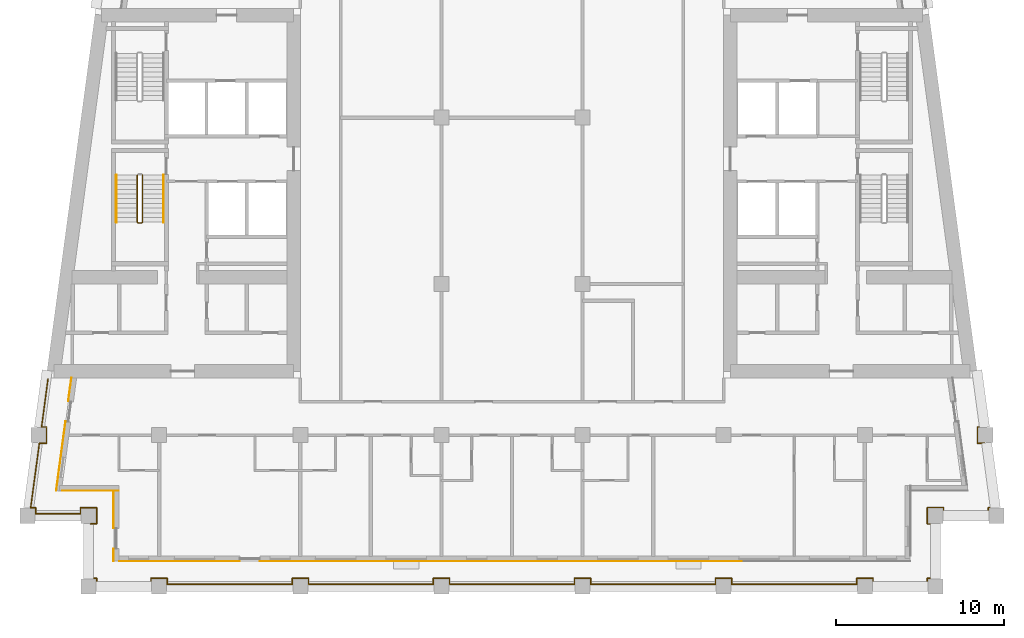
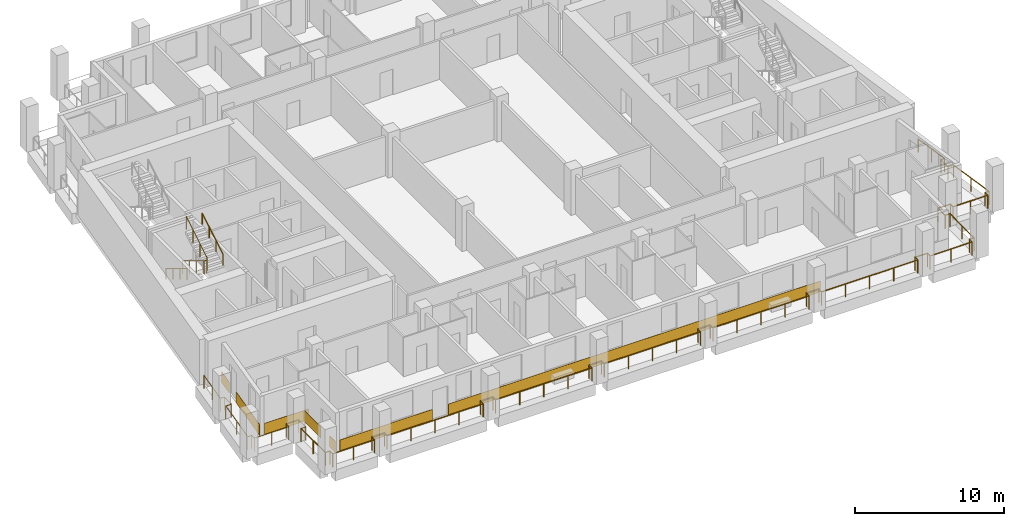
# One storey, part 9 of 13: 7 coverings, 5 railings.
"""IFC4 building model written with IfcOpenShell, lengths in metres."""

from ifc_helpers import new_model, si_unit, direction, frame, origin, origin_2d, place, context, subcontext, project, spatial, rectangle, circle, extrude, material, layer, layer_set, type_object, element, save


model = new_model("IFC4")

# Units and contexts
model_context = context("Model", 3, precision=1e-05, world=origin(), true_north=direction((0.0, 1.0)))
body_context = subcontext(model_context, "Body", "Model", "MODEL_VIEW")
ifc_project = project(units=[si_unit("LENGTHUNIT", "METRE"), si_unit("AREAUNIT", "SQUARE_METRE"), si_unit("VOLUMEUNIT", "CUBIC_METRE"), si_unit("PLANEANGLEUNIT", "RADIAN"), si_unit("MASSUNIT", "GRAM", prefix="KILO")], contexts=[model_context])

# Site, building, storey
site_placement = place(None, origin())
site = spatial("IfcSite", under=ifc_project, at=site_placement, CompositionType="ELEMENT")
building_placement = place(site_placement, origin())
building = spatial("IfcBuilding", under=site, at=building_placement, Name="Candeia Pilgrim Tower and Theatre", CompositionType="ELEMENT")
storey_placement = place(building_placement, frame((0.0, 0.0, 242.89990234375)))
storey = spatial("IfcBuildingStorey", under=building, at=storey_placement, Name="L59", CompositionType="ELEMENT", Elevation=242.89990234375)

# Railings
ifc_material_1 = material(Name="Stainless steel balustrade", Category="steel")
railing_type_1 = type_object("IfcRailingType", Name="G1 loggia guard 1100", PredefinedType="GUARDRAIL", material=ifc_material_1)
railing_1_placement = place(storey_placement, frame((88.320068359375, 101.719970703125, 0.0)))
element("IfcRailing", 1, at=railing_1_placement, inside=storey, type_object=railing_type_1, Name="Guard L59.1", PredefinedType="GUARDRAIL", context=body_context, shape_type="SweptSolid", body=[
    extrude(circle(Radius=0.02392578125, at=origin_2d()), frame((0.0, 0.0, 1.076171875), z_axis=(1.0, 0.0, 0.0), x_axis=(0.0, 1.0, 0.0)), (0.0, 0.0, 1.0), 0.35986328125),
    extrude(circle(Radius=0.02392578125, at=origin_2d()), frame((0.35986328125, 0.0, 1.076171875), z_axis=(0.0, 1.0, 0.0), x_axis=(-1.0, 0.0, 0.0)), (0.0, 0.0, 1.0), 0.9599609375),
    extrude(circle(Radius=0.02392578125, at=origin_2d()), frame((0.35986328125, 0.9599609375, 1.076171875), z_axis=(-1.0, 0.0, 0.0), x_axis=(0.0, -1.0, 0.0)), (0.0, 0.0, 1.0), 0.9599609375),
    extrude(circle(Radius=0.02392578125, at=origin_2d()), frame((-0.60009765625, 0.9599609375, 1.076171875), z_axis=(0.0, -1.0, 0.0), x_axis=(1.0, 0.0, 0.0)), (0.0, 0.0, 1.0), 0.35986328125),
    extrude(circle(Radius=0.02392578125, at=origin_2d()), frame((-0.60009765625, 0.60009765625, 1.076171875), z_axis=(-1.0, 0.0, 0.0), x_axis=(0.0, -1.0, 0.0)), (0.0, 0.0, 1.0), 2.674560546875),
    extrude(circle(Radius=0.02392578125, at=origin_2d()), frame((-3.274658203125, 0.60009765625, 1.076171875), z_axis=(0.0, 1.0, 0.0), x_axis=(-1.0, 0.0, 0.0)), (0.0, 0.0, 1.0), 0.35986328125),
    extrude(circle(Radius=0.02392578125, at=origin_2d()), frame((-3.274658203125, 0.9599609375, 1.076171875), z_axis=(-1.0, 0.0, 0.0), x_axis=(0.0, -1.0, 0.0)), (0.0, 0.0, 1.0), 0.29443359375),
    extrude(circle(Radius=0.02392578125, at=origin_2d()), frame((-3.569091796875, 0.9599609375, 1.076171875), z_axis=(0.133451286285, 0.991055373927, 0.0), x_axis=(-0.991055373927, 0.133451286285, 0.0)), (0.0, 0.0, 1.0), 3.874755859375),
    extrude(circle(Radius=0.02392578125, at=origin_2d()), frame((-3.052001953125, 4.800048828125, 1.076171875), z_axis=(1.0, 0.0, 0.0), x_axis=(0.0, 1.0, 0.0)), (0.0, 0.0, 1.0), 0.423583984375),
    extrude(circle(Radius=0.02392578125, at=origin_2d()), frame((-2.62841796875, 4.800048828125, 1.076171875), z_axis=(0.0, 1.0, 0.0), x_axis=(-1.0, 0.0, 0.0)), (0.0, 0.0, 1.0), 0.9599609375),
    extrude(circle(Radius=0.02392578125, at=origin_2d()), frame((-2.62841796875, 5.760009765625, 1.076171875), z_axis=(-1.0, 0.0, 0.0), x_axis=(0.0, -1.0, 0.0)), (0.0, 0.0, 1.0), 0.29443359375),
    extrude(circle(Radius=0.02392578125, at=origin_2d()), frame((-2.9228515625, 5.760009765625, 1.076171875), z_axis=(0.133450228179, 0.991055516406, 0.0), x_axis=(-0.991055516406, 0.133450228179, 0.0)), (0.0, 0.0, 1.0), 2.89599609375),
    extrude(circle(Radius=0.02099609375, at=origin_2d()), origin(), (0.0, 0.0, 1.0), 1.052001953125),
    extrude(circle(Radius=0.02099609375, at=origin_2d()), frame((0.35986328125, 0.0, 0.0)), (0.0, 0.0, 1.0), 1.052001953125),
    extrude(circle(Radius=0.02099609375, at=origin_2d()), frame((0.35986328125, 0.9599609375, 0.0)), (0.0, 0.0, 1.0), 1.052001953125),
    extrude(circle(Radius=0.02099609375, at=origin_2d()), frame((-0.60009765625, 0.9599609375, 0.0)), (0.0, 0.0, 1.0), 1.052001953125),
    extrude(circle(Radius=0.02099609375, at=origin_2d()), frame((-0.60009765625, 0.60009765625, 0.0)), (0.0, 0.0, 1.0), 1.052001953125),
    extrude(circle(Radius=0.02099609375, at=origin_2d()), frame((-1.9375, 0.60009765625, 0.0)), (0.0, 0.0, 1.0), 1.052001953125),
    extrude(circle(Radius=0.02099609375, at=origin_2d()), frame((-3.274658203125, 0.60009765625, 0.0)), (0.0, 0.0, 1.0), 1.052001953125),
    extrude(circle(Radius=0.02099609375, at=origin_2d()), frame((-3.274658203125, 0.9599609375, 0.0)), (0.0, 0.0, 1.0), 1.052001953125),
    extrude(circle(Radius=0.02099609375, at=origin_2d()), frame((-3.569091796875, 0.9599609375, 0.0)), (0.0, 0.0, 1.0), 1.052001953125),
    extrude(circle(Radius=0.02099609375, at=origin_2d()), frame((-3.310546875, 2.8798828125, 0.0)), (0.0, 0.0, 1.0), 1.052001953125),
    extrude(circle(Radius=0.02099609375, at=origin_2d()), frame((-3.052001953125, 4.800048828125, 0.0)), (0.0, 0.0, 1.0), 1.052001953125),
    extrude(circle(Radius=0.02099609375, at=origin_2d()), frame((-2.62841796875, 4.800048828125, 0.0)), (0.0, 0.0, 1.0), 1.052001953125),
    extrude(circle(Radius=0.02099609375, at=origin_2d()), frame((-2.62841796875, 5.760009765625, 0.0)), (0.0, 0.0, 1.0), 1.052001953125),
    extrude(circle(Radius=0.02099609375, at=origin_2d()), frame((-2.9228515625, 5.760009765625, 0.0)), (0.0, 0.0, 1.0), 1.052001953125),
    extrude(circle(Radius=0.02099609375, at=origin_2d()), frame((-2.7294921875, 7.195068359375, 0.0)), (0.0, 0.0, 1.0), 1.052001953125),
    extrude(circle(Radius=0.02099609375, at=origin_2d()), frame((-2.536376953125, 8.630126953125, 0.0)), (0.0, 0.0, 1.0), 1.052001953125),
])
railing_2_placement = place(storey_placement, frame((141.016357421875, 110.35009765625, 0.0)))
element("IfcRailing", 2, at=railing_2_placement, inside=storey, type_object=railing_type_1, Name="Guard L59.4", PredefinedType="GUARDRAIL", context=body_context, shape_type="SweptSolid", body=[
    extrude(circle(Radius=0.02392578125, at=origin_2d()), frame((0.0, 0.0, 1.076171875), z_axis=(0.133450228179, -0.991055516406, 0.0), x_axis=(0.991055516406, 0.133450228179, 0.0)), (0.0, 0.0, 1.0), 2.89599609375),
    extrude(circle(Radius=0.02392578125, at=origin_2d()), frame((0.386474609375, -2.8701171875, 1.076171875), z_axis=(-1.0, 0.0, 0.0), x_axis=(0.0, -1.0, 0.0)), (0.0, 0.0, 1.0), 0.29443359375),
    extrude(circle(Radius=0.02392578125, at=origin_2d()), frame((0.092041015625, -2.8701171875, 1.076171875), z_axis=(0.0, -1.0, 0.0), x_axis=(1.0, 0.0, 0.0)), (0.0, 0.0, 1.0), 0.9599609375),
    extrude(circle(Radius=0.02392578125, at=origin_2d()), frame((0.092041015625, -3.830078125, 1.076171875), z_axis=(1.0, 0.0, 0.0), x_axis=(0.0, 1.0, 0.0)), (0.0, 0.0, 1.0), 0.423583984375),
    extrude(circle(Radius=0.02392578125, at=origin_2d()), frame((0.515625, -3.830078125, 1.076171875), z_axis=(0.133389399471, -0.991063705374, 0.0), x_axis=(0.991063705374, 0.133389399471, 0.0)), (0.0, 0.0, 1.0), 3.874755859375),
    extrude(circle(Radius=0.02392578125, at=origin_2d()), frame((1.032470703125, -7.670166015625, 1.076171875), z_axis=(-1.0, 0.0, 0.0), x_axis=(0.0, -1.0, 0.0)), (0.0, 0.0, 1.0), 0.294189453125),
    extrude(circle(Radius=0.02392578125, at=origin_2d()), frame((0.73828125, -7.670166015625, 1.076171875), z_axis=(0.0, -1.0, 0.0), x_axis=(1.0, 0.0, 0.0)), (0.0, 0.0, 1.0), 0.35986328125),
    extrude(circle(Radius=0.02392578125, at=origin_2d()), frame((0.73828125, -8.030029296875, 1.076171875), z_axis=(-1.0, 0.0, 0.0), x_axis=(0.0, -1.0, 0.0)), (0.0, 0.0, 1.0), 2.674560546875),
    extrude(circle(Radius=0.02392578125, at=origin_2d()), frame((-1.936279296875, -8.030029296875, 1.076171875), z_axis=(0.0, 1.0, 0.0), x_axis=(-1.0, 0.0, 0.0)), (0.0, 0.0, 1.0), 0.35986328125),
    extrude(circle(Radius=0.02392578125, at=origin_2d()), frame((-1.936279296875, -7.670166015625, 1.076171875), z_axis=(-1.0, 0.0, 0.0), x_axis=(0.0, -1.0, 0.0)), (0.0, 0.0, 1.0), 0.9599609375),
    extrude(circle(Radius=0.02392578125, at=origin_2d()), frame((-2.896240234375, -7.670166015625, 1.076171875), z_axis=(0.0, -1.0, 0.0), x_axis=(1.0, 0.0, 0.0)), (0.0, 0.0, 1.0), 0.9599609375),
    extrude(circle(Radius=0.02392578125, at=origin_2d()), frame((-2.896240234375, -8.630126953125, 1.076171875), z_axis=(1.0, 0.0, 0.0), x_axis=(0.0, 1.0, 0.0)), (0.0, 0.0, 1.0), 0.35986328125),
    extrude(circle(Radius=0.02392578125, at=origin_2d()), frame((-2.536376953125, -8.630126953125, 1.076171875), z_axis=(0.0, -1.0, 0.0), x_axis=(1.0, 0.0, 0.0)), (0.0, 0.0, 1.0), 3.239990234375),
    extrude(circle(Radius=0.02392578125, at=origin_2d()), frame((-2.536376953125, -11.8701171875, 1.076171875), z_axis=(-1.0, 0.0, 0.0), x_axis=(0.0, -1.0, 0.0)), (0.0, 0.0, 1.0), 0.35986328125),
    extrude(circle(Radius=0.02392578125, at=origin_2d()), frame((-2.896240234375, -11.8701171875, 1.076171875), z_axis=(0.0, -1.0, 0.0), x_axis=(1.0, 0.0, 0.0)), (0.0, 0.0, 1.0), 0.35986328125),
    extrude(circle(Radius=0.02392578125, at=origin_2d()), frame((-2.896240234375, -12.22998046875, 1.076171875), z_axis=(-1.0, 0.0, 0.0), x_axis=(0.0, -1.0, 0.0)), (0.0, 0.0, 1.0), 3.240234375),
    extrude(circle(Radius=0.02392578125, at=origin_2d()), frame((-6.136474609375, -12.22998046875, 1.076171875), z_axis=(0.0, 1.0, 0.0), x_axis=(-1.0, 0.0, 0.0)), (0.0, 0.0, 1.0), 0.35986328125),
    extrude(circle(Radius=0.02392578125, at=origin_2d()), frame((-6.136474609375, -11.8701171875, 1.076171875), z_axis=(-1.0, 0.0, 0.0), x_axis=(0.0, -1.0, 0.0)), (0.0, 0.0, 1.0), 0.9599609375),
    extrude(circle(Radius=0.02392578125, at=origin_2d()), frame((-7.096435546875, -11.8701171875, 1.076171875), z_axis=(0.0, -1.0, 0.0), x_axis=(1.0, 0.0, 0.0)), (0.0, 0.0, 1.0), 0.35986328125),
    extrude(circle(Radius=0.02392578125, at=origin_2d()), frame((-7.096435546875, -12.22998046875, 1.076171875), z_axis=(-1.0, 0.0, 0.0), x_axis=(0.0, -1.0, 0.0)), (0.0, 0.0, 1.0), 7.43994140625),
    extrude(circle(Radius=0.02392578125, at=origin_2d()), frame((-14.536376953125, -12.22998046875, 1.076171875), z_axis=(0.0, 1.0, 0.0), x_axis=(-1.0, 0.0, 0.0)), (0.0, 0.0, 1.0), 0.35986328125),
    extrude(circle(Radius=0.02392578125, at=origin_2d()), frame((-14.536376953125, -11.8701171875, 1.076171875), z_axis=(-1.0, 0.0, 0.0), x_axis=(0.0, -1.0, 0.0)), (0.0, 0.0, 1.0), 0.9599609375),
    extrude(circle(Radius=0.02392578125, at=origin_2d()), frame((-15.496337890625, -11.8701171875, 1.076171875), z_axis=(0.0, -1.0, 0.0), x_axis=(1.0, 0.0, 0.0)), (0.0, 0.0, 1.0), 0.35986328125),
    extrude(circle(Radius=0.02392578125, at=origin_2d()), frame((-15.496337890625, -12.22998046875, 1.076171875), z_axis=(-1.0, 0.0, 0.0), x_axis=(0.0, -1.0, 0.0)), (0.0, 0.0, 1.0), 7.43994140625),
    extrude(circle(Radius=0.02392578125, at=origin_2d()), frame((-22.936279296875, -12.22998046875, 1.076171875), z_axis=(0.0, 1.0, 0.0), x_axis=(-1.0, 0.0, 0.0)), (0.0, 0.0, 1.0), 0.35986328125),
    extrude(circle(Radius=0.02392578125, at=origin_2d()), frame((-22.936279296875, -11.8701171875, 1.076171875), z_axis=(-1.0, 0.0, 0.0), x_axis=(0.0, -1.0, 0.0)), (0.0, 0.0, 1.0), 0.9599609375),
    extrude(circle(Radius=0.02392578125, at=origin_2d()), frame((-23.896240234375, -11.8701171875, 1.076171875), z_axis=(0.0, -1.0, 0.0), x_axis=(1.0, 0.0, 0.0)), (0.0, 0.0, 1.0), 0.35986328125),
    extrude(circle(Radius=0.02392578125, at=origin_2d()), frame((-23.896240234375, -12.22998046875, 1.076171875), z_axis=(-1.0, 0.0, 0.0), x_axis=(0.0, -1.0, 0.0)), (0.0, 0.0, 1.0), 7.440185546875),
    extrude(circle(Radius=0.02392578125, at=origin_2d()), frame((-31.33642578125, -12.22998046875, 1.076171875), z_axis=(0.0, 1.0, 0.0), x_axis=(-1.0, 0.0, 0.0)), (0.0, 0.0, 1.0), 0.35986328125),
    extrude(circle(Radius=0.02392578125, at=origin_2d()), frame((-31.33642578125, -11.8701171875, 1.076171875), z_axis=(-1.0, 0.0, 0.0), x_axis=(0.0, -1.0, 0.0)), (0.0, 0.0, 1.0), 0.9599609375),
    extrude(circle(Radius=0.02392578125, at=origin_2d()), frame((-32.29638671875, -11.8701171875, 1.076171875), z_axis=(0.0, -1.0, 0.0), x_axis=(1.0, 0.0, 0.0)), (0.0, 0.0, 1.0), 0.35986328125),
    extrude(circle(Radius=0.02392578125, at=origin_2d()), frame((-32.29638671875, -12.22998046875, 1.076171875), z_axis=(-1.0, 0.0, 0.0), x_axis=(0.0, -1.0, 0.0)), (0.0, 0.0, 1.0), 7.43994140625),
    extrude(circle(Radius=0.02392578125, at=origin_2d()), frame((-39.736328125, -12.22998046875, 1.076171875), z_axis=(0.0, 1.0, 0.0), x_axis=(-1.0, 0.0, 0.0)), (0.0, 0.0, 1.0), 0.35986328125),
    extrude(circle(Radius=0.02392578125, at=origin_2d()), frame((-39.736328125, -11.8701171875, 1.076171875), z_axis=(-1.0, 0.0, 0.0), x_axis=(0.0, -1.0, 0.0)), (0.0, 0.0, 1.0), 0.9599609375),
    extrude(circle(Radius=0.02392578125, at=origin_2d()), frame((-40.6962890625, -11.8701171875, 1.076171875), z_axis=(0.0, -1.0, 0.0), x_axis=(1.0, 0.0, 0.0)), (0.0, 0.0, 1.0), 0.35986328125),
    extrude(circle(Radius=0.02392578125, at=origin_2d()), frame((-40.6962890625, -12.22998046875, 1.076171875), z_axis=(-1.0, 0.0, 0.0), x_axis=(0.0, -1.0, 0.0)), (0.0, 0.0, 1.0), 7.440185546875),
    extrude(circle(Radius=0.02392578125, at=origin_2d()), frame((-48.136474609375, -12.22998046875, 1.076171875), z_axis=(0.0, 1.0, 0.0), x_axis=(-1.0, 0.0, 0.0)), (0.0, 0.0, 1.0), 0.35986328125),
    extrude(circle(Radius=0.02392578125, at=origin_2d()), frame((-48.136474609375, -11.8701171875, 1.076171875), z_axis=(-1.0, 0.0, 0.0), x_axis=(0.0, -1.0, 0.0)), (0.0, 0.0, 1.0), 0.9599609375),
    extrude(circle(Radius=0.02392578125, at=origin_2d()), frame((-49.096435546875, -11.8701171875, 1.076171875), z_axis=(0.0, -1.0, 0.0), x_axis=(1.0, 0.0, 0.0)), (0.0, 0.0, 1.0), 0.35986328125),
    extrude(circle(Radius=0.02392578125, at=origin_2d()), frame((-49.096435546875, -12.22998046875, 1.076171875), z_axis=(-1.0, 0.0, 0.0), x_axis=(0.0, -1.0, 0.0)), (0.0, 0.0, 1.0), 3.239990234375),
    extrude(circle(Radius=0.02392578125, at=origin_2d()), frame((-52.33642578125, -12.22998046875, 1.076171875), z_axis=(0.0, 1.0, 0.0), x_axis=(-1.0, 0.0, 0.0)), (0.0, 0.0, 1.0), 0.35986328125),
    extrude(circle(Radius=0.02392578125, at=origin_2d()), frame((-52.33642578125, -11.8701171875, 1.076171875), z_axis=(-1.0, 0.0, 0.0), x_axis=(0.0, -1.0, 0.0)), (0.0, 0.0, 1.0), 0.35986328125),
    extrude(circle(Radius=0.02392578125, at=origin_2d()), frame((-52.6962890625, -11.8701171875, 1.076171875), z_axis=(0.0, 1.0, 0.0), x_axis=(-1.0, 0.0, 0.0)), (0.0, 0.0, 1.0), 3.239990234375),
    extrude(circle(Radius=0.02099609375, at=origin_2d()), origin(), (0.0, 0.0, 1.0), 1.052001953125),
    extrude(circle(Radius=0.02099609375, at=origin_2d()), frame((0.193359375, -1.43505859375, 0.0)), (0.0, 0.0, 1.0), 1.052001953125),
    extrude(circle(Radius=0.02099609375, at=origin_2d()), frame((0.386474609375, -2.8701171875, 0.0)), (0.0, 0.0, 1.0), 1.052001953125),
    extrude(circle(Radius=0.02099609375, at=origin_2d()), frame((0.092041015625, -2.8701171875, 0.0)), (0.0, 0.0, 1.0), 1.052001953125),
    extrude(circle(Radius=0.02099609375, at=origin_2d()), frame((0.092041015625, -3.830078125, 0.0)), (0.0, 0.0, 1.0), 1.052001953125),
    extrude(circle(Radius=0.02099609375, at=origin_2d()), frame((0.515625, -3.830078125, 0.0)), (0.0, 0.0, 1.0), 1.052001953125),
    extrude(circle(Radius=0.02099609375, at=origin_2d()), frame((0.77392578125, -5.75, 0.0)), (0.0, 0.0, 1.0), 1.052001953125),
    extrude(circle(Radius=0.02099609375, at=origin_2d()), frame((1.032470703125, -7.670166015625, 0.0)), (0.0, 0.0, 1.0), 1.052001953125),
    extrude(circle(Radius=0.02099609375, at=origin_2d()), frame((0.73828125, -7.670166015625, 0.0)), (0.0, 0.0, 1.0), 1.052001953125),
    extrude(circle(Radius=0.02099609375, at=origin_2d()), frame((0.73828125, -8.030029296875, 0.0)), (0.0, 0.0, 1.0), 1.052001953125),
    extrude(circle(Radius=0.02099609375, at=origin_2d()), frame((-0.59912109375, -8.030029296875, 0.0)), (0.0, 0.0, 1.0), 1.052001953125),
    extrude(circle(Radius=0.02099609375, at=origin_2d()), frame((-1.936279296875, -8.030029296875, 0.0)), (0.0, 0.0, 1.0), 1.052001953125),
    extrude(circle(Radius=0.02099609375, at=origin_2d()), frame((-1.936279296875, -7.670166015625, 0.0)), (0.0, 0.0, 1.0), 1.052001953125),
    extrude(circle(Radius=0.02099609375, at=origin_2d()), frame((-2.896240234375, -7.670166015625, 0.0)), (0.0, 0.0, 1.0), 1.052001953125),
    extrude(circle(Radius=0.02099609375, at=origin_2d()), frame((-2.896240234375, -8.630126953125, 0.0)), (0.0, 0.0, 1.0), 1.052001953125),
    extrude(circle(Radius=0.02099609375, at=origin_2d()), frame((-2.536376953125, -8.630126953125, 0.0)), (0.0, 0.0, 1.0), 1.052001953125),
    extrude(circle(Radius=0.02099609375, at=origin_2d()), frame((-2.536376953125, -10.25, 0.0)), (0.0, 0.0, 1.0), 1.052001953125),
    extrude(circle(Radius=0.02099609375, at=origin_2d()), frame((-2.536376953125, -11.8701171875, 0.0)), (0.0, 0.0, 1.0), 1.052001953125),
    extrude(circle(Radius=0.02099609375, at=origin_2d()), frame((-2.896240234375, -11.8701171875, 0.0)), (0.0, 0.0, 1.0), 1.052001953125),
    extrude(circle(Radius=0.02099609375, at=origin_2d()), frame((-2.896240234375, -12.22998046875, 0.0)), (0.0, 0.0, 1.0), 1.052001953125),
    extrude(circle(Radius=0.02099609375, at=origin_2d()), frame((-4.516357421875, -12.22998046875, 0.0)), (0.0, 0.0, 1.0), 1.052001953125),
    extrude(circle(Radius=0.02099609375, at=origin_2d()), frame((-6.136474609375, -12.22998046875, 0.0)), (0.0, 0.0, 1.0), 1.052001953125),
    extrude(circle(Radius=0.02099609375, at=origin_2d()), frame((-6.136474609375, -11.8701171875, 0.0)), (0.0, 0.0, 1.0), 1.052001953125),
    extrude(circle(Radius=0.02099609375, at=origin_2d()), frame((-7.096435546875, -11.8701171875, 0.0)), (0.0, 0.0, 1.0), 1.052001953125),
    extrude(circle(Radius=0.02099609375, at=origin_2d()), frame((-7.096435546875, -12.22998046875, 0.0)), (0.0, 0.0, 1.0), 1.052001953125),
    extrude(circle(Radius=0.02099609375, at=origin_2d()), frame((-8.95654296875, -12.22998046875, 0.0)), (0.0, 0.0, 1.0), 1.052001953125),
    extrude(circle(Radius=0.02099609375, at=origin_2d()), frame((-10.81640625, -12.22998046875, 0.0)), (0.0, 0.0, 1.0), 1.052001953125),
    extrude(circle(Radius=0.02099609375, at=origin_2d()), frame((-12.67626953125, -12.22998046875, 0.0)), (0.0, 0.0, 1.0), 1.052001953125),
    extrude(circle(Radius=0.02099609375, at=origin_2d()), frame((-14.536376953125, -12.22998046875, 0.0)), (0.0, 0.0, 1.0), 1.052001953125),
    extrude(circle(Radius=0.02099609375, at=origin_2d()), frame((-14.536376953125, -11.8701171875, 0.0)), (0.0, 0.0, 1.0), 1.052001953125),
    extrude(circle(Radius=0.02099609375, at=origin_2d()), frame((-15.496337890625, -11.8701171875, 0.0)), (0.0, 0.0, 1.0), 1.052001953125),
    extrude(circle(Radius=0.02099609375, at=origin_2d()), frame((-15.496337890625, -12.22998046875, 0.0)), (0.0, 0.0, 1.0), 1.052001953125),
    extrude(circle(Radius=0.02099609375, at=origin_2d()), frame((-17.3564453125, -12.22998046875, 0.0)), (0.0, 0.0, 1.0), 1.052001953125),
    extrude(circle(Radius=0.02099609375, at=origin_2d()), frame((-19.21630859375, -12.22998046875, 0.0)), (0.0, 0.0, 1.0), 1.052001953125),
    extrude(circle(Radius=0.02099609375, at=origin_2d()), frame((-21.076171875, -12.22998046875, 0.0)), (0.0, 0.0, 1.0), 1.052001953125),
    extrude(circle(Radius=0.02099609375, at=origin_2d()), frame((-22.936279296875, -12.22998046875, 0.0)), (0.0, 0.0, 1.0), 1.052001953125),
    extrude(circle(Radius=0.02099609375, at=origin_2d()), frame((-22.936279296875, -11.8701171875, 0.0)), (0.0, 0.0, 1.0), 1.052001953125),
    extrude(circle(Radius=0.02099609375, at=origin_2d()), frame((-23.896240234375, -11.8701171875, 0.0)), (0.0, 0.0, 1.0), 1.052001953125),
    extrude(circle(Radius=0.02099609375, at=origin_2d()), frame((-23.896240234375, -12.22998046875, 0.0)), (0.0, 0.0, 1.0), 1.052001953125),
    extrude(circle(Radius=0.02099609375, at=origin_2d()), frame((-25.75634765625, -12.22998046875, 0.0)), (0.0, 0.0, 1.0), 1.052001953125),
    extrude(circle(Radius=0.02099609375, at=origin_2d()), frame((-27.6162109375, -12.22998046875, 0.0)), (0.0, 0.0, 1.0), 1.052001953125),
    extrude(circle(Radius=0.02099609375, at=origin_2d()), frame((-29.476318359375, -12.22998046875, 0.0)), (0.0, 0.0, 1.0), 1.052001953125),
    extrude(circle(Radius=0.02099609375, at=origin_2d()), frame((-31.33642578125, -12.22998046875, 0.0)), (0.0, 0.0, 1.0), 1.052001953125),
    extrude(circle(Radius=0.02099609375, at=origin_2d()), frame((-31.33642578125, -11.8701171875, 0.0)), (0.0, 0.0, 1.0), 1.052001953125),
    extrude(circle(Radius=0.02099609375, at=origin_2d()), frame((-32.29638671875, -11.8701171875, 0.0)), (0.0, 0.0, 1.0), 1.052001953125),
    extrude(circle(Radius=0.02099609375, at=origin_2d()), frame((-32.29638671875, -12.22998046875, 0.0)), (0.0, 0.0, 1.0), 1.052001953125),
    extrude(circle(Radius=0.02099609375, at=origin_2d()), frame((-34.15625, -12.22998046875, 0.0)), (0.0, 0.0, 1.0), 1.052001953125),
    extrude(circle(Radius=0.02099609375, at=origin_2d()), frame((-36.016357421875, -12.22998046875, 0.0)), (0.0, 0.0, 1.0), 1.052001953125),
    extrude(circle(Radius=0.02099609375, at=origin_2d()), frame((-37.87646484375, -12.22998046875, 0.0)), (0.0, 0.0, 1.0), 1.052001953125),
    extrude(circle(Radius=0.02099609375, at=origin_2d()), frame((-39.736328125, -12.22998046875, 0.0)), (0.0, 0.0, 1.0), 1.052001953125),
    extrude(circle(Radius=0.02099609375, at=origin_2d()), frame((-39.736328125, -11.8701171875, 0.0)), (0.0, 0.0, 1.0), 1.052001953125),
    extrude(circle(Radius=0.02099609375, at=origin_2d()), frame((-40.6962890625, -11.8701171875, 0.0)), (0.0, 0.0, 1.0), 1.052001953125),
    extrude(circle(Radius=0.02099609375, at=origin_2d()), frame((-40.6962890625, -12.22998046875, 0.0)), (0.0, 0.0, 1.0), 1.052001953125),
    extrude(circle(Radius=0.02099609375, at=origin_2d()), frame((-42.556396484375, -12.22998046875, 0.0)), (0.0, 0.0, 1.0), 1.052001953125),
    extrude(circle(Radius=0.02099609375, at=origin_2d()), frame((-44.41650390625, -12.22998046875, 0.0)), (0.0, 0.0, 1.0), 1.052001953125),
    extrude(circle(Radius=0.02099609375, at=origin_2d()), frame((-46.2763671875, -12.22998046875, 0.0)), (0.0, 0.0, 1.0), 1.052001953125),
    extrude(circle(Radius=0.02099609375, at=origin_2d()), frame((-48.136474609375, -12.22998046875, 0.0)), (0.0, 0.0, 1.0), 1.052001953125),
    extrude(circle(Radius=0.02099609375, at=origin_2d()), frame((-48.136474609375, -11.8701171875, 0.0)), (0.0, 0.0, 1.0), 1.052001953125),
    extrude(circle(Radius=0.02099609375, at=origin_2d()), frame((-49.096435546875, -11.8701171875, 0.0)), (0.0, 0.0, 1.0), 1.052001953125),
    extrude(circle(Radius=0.02099609375, at=origin_2d()), frame((-49.096435546875, -12.22998046875, 0.0)), (0.0, 0.0, 1.0), 1.052001953125),
    extrude(circle(Radius=0.02099609375, at=origin_2d()), frame((-50.71630859375, -12.22998046875, 0.0)), (0.0, 0.0, 1.0), 1.052001953125),
    extrude(circle(Radius=0.02099609375, at=origin_2d()), frame((-52.33642578125, -12.22998046875, 0.0)), (0.0, 0.0, 1.0), 1.052001953125),
    extrude(circle(Radius=0.02099609375, at=origin_2d()), frame((-52.33642578125, -11.8701171875, 0.0)), (0.0, 0.0, 1.0), 1.052001953125),
    extrude(circle(Radius=0.02099609375, at=origin_2d()), frame((-52.6962890625, -11.8701171875, 0.0)), (0.0, 0.0, 1.0), 1.052001953125),
    extrude(circle(Radius=0.02099609375, at=origin_2d()), frame((-52.6962890625, -10.25, 0.0)), (0.0, 0.0, 1.0), 1.052001953125),
    extrude(circle(Radius=0.02099609375, at=origin_2d()), frame((-52.6962890625, -8.630126953125, 0.0)), (0.0, 0.0, 1.0), 1.052001953125),
])

# Coverings
ifc_material_2 = material(Name="Glazed ceramic tile bottle green")
ifc_layer = layer(ifc_material_2, 0.02001953125)
ifc_layer_set = layer_set([ifc_layer], Name="Glazed ceramic tile bottle green")
covering_type = type_object("IfcCoveringType", Name="Glazed ceramic tile bottle green", PredefinedType="CLADDING", material=ifc_layer_set)
covering_1_placement = place(storey_placement, frame((93.610107421875, 99.489990234375, 0.000244140625), z_axis=(0.0, 0.0, 1.0), x_axis=(1.0, 0.0, 0.0)))
element("IfcCovering", 3, at=covering_1_placement, inside=storey, type_object=covering_type, Name="Tile cladding bottle green L59", PredefinedType="CLADDING", context=body_context, shape_type="SweptSolid", body=[
    extrude(rectangle(XDim=7.179931640625, YDim=0.02001953125, at=origin_2d()), origin(), (0.0, 0.0, 1.0), 0.89990234375),
])
covering_2_placement = place(storey_placement, frame((112.800048828125, 99.489990234375, 0.000244140625), z_axis=(0.0, 0.0, 1.0), x_axis=(1.0, 0.0, 0.0)))
element("IfcCovering", 4, at=covering_2_placement, inside=storey, type_object=covering_type, Name="Tile cladding bottle green L59", PredefinedType="CLADDING", context=body_context, shape_type="SweptSolid", body=[
    extrude(rectangle(XDim=28.800048828125, YDim=0.02001953125, at=origin_2d()), origin(), (0.0, 0.0, 1.0), 0.89990234375),
])
covering_3_placement = place(storey_placement, frame((87.0810546875, 109.71875, 0.000244140625), z_axis=(0.0, 0.0, 1.0), x_axis=(-0.133412012145, -0.991060661622, 0.0)))
element("IfcCovering", 5, at=covering_3_placement, inside=storey, type_object=covering_type, Name="Tile cladding bottle green L59", PredefinedType="CLADDING", context=body_context, shape_type="SweptSolid", body=[
    extrude(rectangle(XDim=1.41796875, YDim=0.02001953125, at=origin_2d()), origin(), (0.0, 0.0, 1.0), 0.89990234375),
])
covering_4_placement = place(storey_placement, frame((86.548583984375, 105.763916015625, 0.000244140625), z_axis=(0.0, 0.0, 1.0), x_axis=(-0.133412012145, -0.991060661622, 0.0)))
element("IfcCovering", 6, at=covering_4_placement, inside=storey, type_object=covering_type, Name="Tile cladding bottle green L59", PredefinedType="CLADDING", context=body_context, shape_type="SweptSolid", body=[
    extrude(rectangle(XDim=4.16259765625, YDim=0.02001953125, at=origin_2d()), origin(), (0.0, 0.0, 1.0), 0.89990234375),
])
covering_5_placement = place(storey_placement, frame((88.311279296875, 103.68994140625, 0.000244140625), z_axis=(0.0, 0.0, 1.0), x_axis=(1.0, 0.0, 0.0)))
element("IfcCovering", 7, at=covering_5_placement, inside=storey, type_object=covering_type, Name="Tile cladding bottle green L59", PredefinedType="CLADDING", context=body_context, shape_type="SweptSolid", body=[
    extrude(rectangle(XDim=3.377685546875, YDim=0.02001953125, at=origin_2d()), origin(), (0.0, 0.0, 1.0), 0.89990234375),
])
covering_6_placement = place(storey_placement, frame((89.68994140625, 102.56494140625, 0.000244140625), z_axis=(0.0, 0.0, 1.0), x_axis=(0.0, -1.0, 0.0)))
element("IfcCovering", 8, at=covering_6_placement, inside=storey, type_object=covering_type, Name="Tile cladding bottle green L59", PredefinedType="CLADDING", context=body_context, shape_type="SweptSolid", body=[
    extrude(rectangle(XDim=2.22998046875, YDim=0.02001953125, at=origin_2d()), origin(), (0.0, 0.0, 1.0), 0.89990234375),
])
covering_7_placement = place(storey_placement, frame((89.68994140625, 99.875, 0.000244140625), z_axis=(0.0, 0.0, 1.0), x_axis=(0.0, -1.0, 0.0)))
element("IfcCovering", 9, at=covering_7_placement, inside=storey, type_object=covering_type, Name="Tile cladding bottle green L59", PredefinedType="CLADDING", context=body_context, shape_type="SweptSolid", body=[
    extrude(rectangle(XDim=0.75, YDim=0.02001953125, at=origin_2d()), origin(), (0.0, 0.0, 1.0), 0.89990234375),
])

# Railings
railing_type_2 = type_object("IfcRailingType", Name="RL-GUARD-1100", PredefinedType="GUARDRAIL", material=ifc_material_1)
railing_3_placement = place(storey_placement, frame((91.10205078125, 122.47509765625, 0.168212890625)))
element("IfcRailing", 10, at=railing_3_placement, inside=storey, type_object=railing_type_2, Name="L59 ST1 stair guard 1", PredefinedType="GUARDRAIL", context=body_context, shape_type="SweptSolid", body=[
    extrude(circle(Radius=0.02392578125, at=origin_2d()), frame((0.0, 0.0, 1.076171875), z_axis=(0.0, -0.857242210791, 0.514913383045), x_axis=(1.0, 0.0, 0.0)), (0.0, 0.0, 1.0), 3.266357421875),
    extrude(circle(Radius=0.02392578125, at=origin_2d()), frame((0.0, -2.800048828125, 2.7578125), z_axis=(0.707106781187, -0.707106781187, 0.0), x_axis=(0.707106781187, 0.707106781187, 0.0)), (0.0, 0.0, 1.0), 0.07080078125),
    extrude(circle(Radius=0.02392578125, at=origin_2d()), frame((0.050048828125, -2.85009765625, 2.7578125), z_axis=(1.0, 0.0, 0.0), x_axis=(0.0, 1.0, 0.0)), (0.0, 0.0, 1.0), 0.199951171875),
    extrude(circle(Radius=0.02392578125, at=origin_2d()), frame((0.25, -2.85009765625, 2.7578125), z_axis=(0.274243871929, 0.274243871929, 0.92172696468), x_axis=(-0.707106781187, 0.707106781187, 0.0)), (0.0, 0.0, 1.0), 0.1826171875),
    extrude(circle(Radius=0.02392578125, at=origin_2d()), frame((0.300048828125, -2.800048828125, 2.92626953125), z_axis=(0.0, 0.857242210791, 0.514913383045), x_axis=(-1.0, 0.0, 0.0)), (0.0, 0.0, 1.0), 3.266357421875),
    extrude(circle(Radius=0.02099609375, at=origin_2d()), origin(), (0.0, 0.0, 1.0), 1.052001953125),
    extrude(circle(Radius=0.02099609375, at=origin_2d()), frame((0.0, -0.933349609375, 0.560546875)), (0.0, 0.0, 1.0), 1.052001953125),
    extrude(circle(Radius=0.02099609375, at=origin_2d()), frame((0.0, -1.86669921875, 1.121337890625)), (0.0, 0.0, 1.0), 1.052001953125),
    extrude(circle(Radius=0.02099609375, at=origin_2d()), frame((0.0, -2.800048828125, 1.681884765625)), (0.0, 0.0, 1.0), 1.052001953125),
    extrude(circle(Radius=0.02099609375, at=origin_2d()), frame((0.050048828125, -2.85009765625, 1.681884765625)), (0.0, 0.0, 1.0), 1.052001953125),
    extrude(circle(Radius=0.02099609375, at=origin_2d()), frame((0.25, -2.85009765625, 1.681884765625)), (0.0, 0.0, 1.0), 1.052001953125),
    extrude(circle(Radius=0.02099609375, at=origin_2d()), frame((0.300048828125, -2.800048828125, 1.85009765625)), (0.0, 0.0, 1.0), 1.052001953125),
    extrude(circle(Radius=0.02099609375, at=origin_2d()), frame((0.300048828125, -1.86669921875, 2.41064453125)), (0.0, 0.0, 1.0), 1.052001953125),
    extrude(circle(Radius=0.02099609375, at=origin_2d()), frame((0.300048828125, -0.933349609375, 2.971435546875)), (0.0, 0.0, 1.0), 1.052001953125),
    extrude(circle(Radius=0.02099609375, at=origin_2d()), frame((0.300048828125, 0.0, 3.531982421875)), (0.0, 0.0, 1.0), 1.052001953125),
])
ifc_material_3 = material(Name="Stainless steel handrail", Category="steel")
railing_type_3 = type_object("IfcRailingType", Name="RL-HANDRAIL-900", PredefinedType="HANDRAIL", material=ifc_material_3)
railing_4_placement = place(storey_placement, frame((89.85205078125, 122.47509765625, 0.168212890625)))
element("IfcRailing", 11, at=railing_4_placement, inside=storey, type_object=railing_type_3, Name="L59 ST1 stair handrail 1", PredefinedType="HANDRAIL", context=body_context, shape_type="SweptSolid", body=[
    extrude(circle(Radius=0.02392578125, at=origin_2d()), frame((0.0, 0.0, 0.8759765625), z_axis=(0.0, -0.857242210791, 0.514913383045), x_axis=(1.0, 0.0, 0.0)), (0.0, 0.0, 1.0), 3.266357421875),
    extrude(circle(Radius=0.02099609375, at=origin_2d()), origin(), (0.0, 0.0, 1.0), 0.851806640625),
    extrude(circle(Radius=0.02099609375, at=origin_2d()), frame((0.0, -0.933349609375, 0.560546875)), (0.0, 0.0, 1.0), 0.851806640625),
    extrude(circle(Radius=0.02099609375, at=origin_2d()), frame((0.0, -1.86669921875, 1.121337890625)), (0.0, 0.0, 1.0), 0.851806640625),
    extrude(circle(Radius=0.02099609375, at=origin_2d()), frame((0.0, -2.800048828125, 1.681884765625)), (0.0, 0.0, 1.0), 0.851806640625),
])
railing_5_placement = place(storey_placement, frame((92.652099609375, 119.675048828125, 2.018310546875)))
element("IfcRailing", 12, at=railing_5_placement, inside=storey, type_object=railing_type_3, Name="L59 ST1 stair handrail 2", PredefinedType="HANDRAIL", context=body_context, shape_type="SweptSolid", body=[
    extrude(circle(Radius=0.02392578125, at=origin_2d()), frame((0.0, 0.0, 0.8759765625), z_axis=(0.0, 0.857242210791, 0.514913383045), x_axis=(-1.0, 0.0, 0.0)), (0.0, 0.0, 1.0), 3.266357421875),
    extrude(circle(Radius=0.02099609375, at=origin_2d()), origin(), (0.0, 0.0, 1.0), 0.851806640625),
    extrude(circle(Radius=0.02099609375, at=origin_2d()), frame((0.0, 0.933349609375, 0.560546875)), (0.0, 0.0, 1.0), 0.851806640625),
    extrude(circle(Radius=0.02099609375, at=origin_2d()), frame((0.0, 1.86669921875, 1.121337890625)), (0.0, 0.0, 1.0), 0.851806640625),
    extrude(circle(Radius=0.02099609375, at=origin_2d()), frame((0.0, 2.800048828125, 1.681884765625)), (0.0, 0.0, 1.0), 0.851806640625),
])

save(model, "model.ifc")
